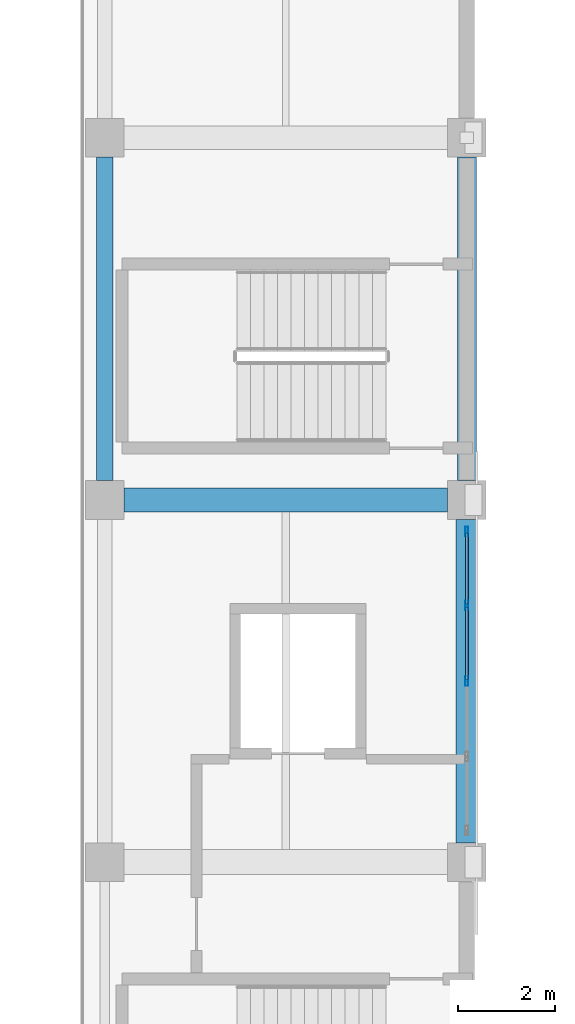
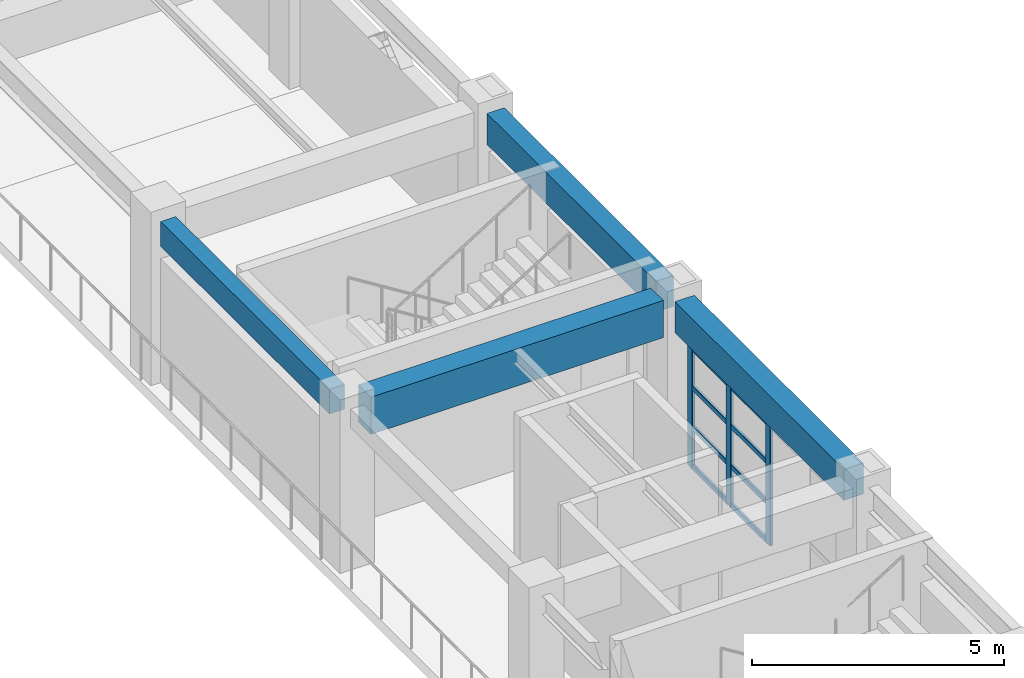
# One storey, part 40 of 124: 11 members, 4 beams, 1 element without a shape of its own.
"""IFC4 building model written with IfcOpenShell, lengths in metres."""

import ifcopenshell
import ifcopenshell.guid

model = None  # the IFC model being written
_history = None  # IfcOwnerHistory: only IFC2X3 demands one
_inside = {}  # id of a spatial element -> (the spatial element, [elements in it])
_under = {}  # id of a project, library or spatial element -> (it, [spatial elements below it])
_declared = {}  # id of a project -> (the project, [libraries it declares])
_typed = {}  # id of a type object -> (the type object, [elements of that type])
_made_of = {}  # id of a material, layer set ... -> (it, [elements and type objects made of it])


def new_model(schema):
    """Start an empty IFC model of exactly this schema.

    Asked for "IFC4X3", IfcOpenShell would pick the latest addendum, in which some entities
    have other attributes; the version numbers below select the first issue.
    IFC2X3 requires an IfcOwnerHistory on every rooted entity: one is made here for all.
    """
    global model, _history
    if schema == "IFC4X3":
        model = ifcopenshell.file(schema_version=(4, 3, 0, 0))
    else:
        model = ifcopenshell.file(schema=schema)
    _inside.clear()
    _under.clear()
    _declared.clear()
    _typed.clear()
    _made_of.clear()
    _history = None
    if model.schema == "IFC2X3":
        org = make("IfcOrganization", Name="unknown")
        user = make(
            "IfcPersonAndOrganization",
            ThePerson=make("IfcPerson", FamilyName="unknown"),
            TheOrganization=org,
        )
        app = make(
            "IfcApplication",
            ApplicationDeveloper=org,
            Version="unknown",
            ApplicationFullName="unknown",
            ApplicationIdentifier="unknown",
        )
        _history = make(
            "IfcOwnerHistory",
            OwningUser=user,
            OwningApplication=app,
            ChangeAction="ADDED",
            CreationDate=0,
        )
    return model


def make(cls, **values):
    """One entity of the class cls with the attributes given. An attribute that is None is left unset."""
    return model.create_entity(
        cls, **{name: value for name, value in values.items() if value is not None}
    )


def rooted(cls, **values):
    """An entity with a GlobalId (a new one), such as an element, a storey or a relation."""
    return make(cls, GlobalId=ifcopenshell.guid.new(), OwnerHistory=_history, **values)


def si_unit(unit_type, name, prefix=None):
    """IfcSIUnit, for example si_unit("LENGTHUNIT", "METRE", prefix="MILLI")."""
    return make("IfcSIUnit", UnitType=unit_type, Prefix=prefix, Name=name)


def assignment(units):
    """IfcUnitAssignment: the units of a project."""
    return None if units is None else make("IfcUnitAssignment", Units=units)


def point(xyz):
    """IfcCartesianPoint."""
    return None if xyz is None else make("IfcCartesianPoint", Coordinates=xyz)


def direction(xyz):
    """IfcDirection."""
    return None if xyz is None else make("IfcDirection", DirectionRatios=xyz)


def frame(location, z_axis=None, x_axis=None):
    """IfcAxis2Placement3D, a coordinate frame: its origin and axes. An axis left out is left unset."""
    return make(
        "IfcAxis2Placement3D",
        Location=point(location),
        Axis=direction(z_axis),
        RefDirection=direction(x_axis),
    )


def frame_2d(location, x_axis=None):
    """IfcAxis2Placement2D, a coordinate frame in the plane: its origin and x axis."""
    return make(
        "IfcAxis2Placement2D", Location=point(location), RefDirection=direction(x_axis)
    )


def origin():
    """The frame at (0, 0, 0) with its axes left unset."""
    return frame((0.0, 0.0, 0.0))


def origin_2d():
    """The frame at (0, 0) in the plane with its x axis left unset."""
    return frame_2d((0.0, 0.0))


def place(relative_to, where):
    """IfcLocalPlacement: puts the frame where relative to a parent placement (None: the world)."""
    return make(
        "IfcLocalPlacement", PlacementRelTo=relative_to, RelativePlacement=where
    )


def context(
    kind, dimensions, precision=None, world=None, true_north=None, identifier=None
):
    """IfcGeometricRepresentationContext, for example the 3D "Model" context."""
    return make(
        "IfcGeometricRepresentationContext",
        ContextIdentifier=identifier,
        ContextType=kind,
        CoordinateSpaceDimension=dimensions,
        Precision=precision,
        WorldCoordinateSystem=world,
        TrueNorth=true_north,
    )


def subcontext(parent, identifier, kind, view, scale=None):
    """IfcGeometricRepresentationSubContext, for example "Body" below "Model"."""
    return make(
        "IfcGeometricRepresentationSubContext",
        ContextIdentifier=identifier,
        ContextType=kind,
        ParentContext=parent,
        TargetScale=scale,
        TargetView=view,
    )


def project(units=None, contexts=None):
    """IfcProject with its units and contexts."""
    return rooted(
        "IfcProject",
        Name="project",
        RepresentationContexts=contexts,
        UnitsInContext=assignment(units),
    )


def spatial(cls, under=None, at=None, **own):
    """A site, building, storey or space (cls), placed at a placement, below another one or the project."""
    s = rooted(cls, ObjectPlacement=at, **own)
    if under is not None:
        _under.setdefault(under.id(), (under, []))[1].append(s)
    return s


def profile(cls, at=None, kind="AREA", **sizes):
    """A parametric profile (cls). Its sizes go by their IFC names, for example OverallWidth=200.0."""
    return make(cls, ProfileType=kind, Position=at, **sizes)


def rectangle(**sizes):
    """IfcRectangleProfileDef."""
    return profile("IfcRectangleProfileDef", **sizes)


def hollow_rectangle(**sizes):
    """IfcRectangleHollowProfileDef."""
    return profile("IfcRectangleHollowProfileDef", **sizes)


def extrude(swept, where, along, depth):
    """IfcExtrudedAreaSolid: the profile swept, set in the frame where, extruded along a direction by depth."""
    return make(
        "IfcExtrudedAreaSolid",
        SweptArea=swept,
        Position=where,
        ExtrudedDirection=direction(along),
        Depth=depth,
    )


def shape(context_of_items, identifier, shape_type, items):
    """IfcShapeRepresentation: the items that make up one representation, for example the "Body"."""
    return make(
        "IfcShapeRepresentation",
        ContextOfItems=context_of_items,
        RepresentationIdentifier=identifier,
        RepresentationType=shape_type,
        Items=items,
    )


def material(Name=None, Category=None):
    """IfcMaterial."""
    return make("IfcMaterial", Name=Name, Category=Category)


def material_profile(
    of_material, cross_section, Name=None, Category=None, Priority=None
):
    """IfcMaterialProfile: a cross section and its material."""
    return make(
        "IfcMaterialProfile",
        Name=Name,
        Material=of_material,
        Profile=cross_section,
        Priority=Priority,
        Category=Category,
    )


def profile_set(profiles, Name=None, composite=None):
    """IfcMaterialProfileSet."""
    return make(
        "IfcMaterialProfileSet",
        Name=Name,
        MaterialProfiles=profiles,
        CompositeProfile=composite,
    )


def made_of(thing, what):
    """Note that an element or type object is made of a material, layer set ...; save() writes the relation."""
    if what is not None:
        _made_of.setdefault(what.id(), (what, []))[1].append(thing)
    return thing


def type_object(cls, material=None, **own):
    """A type object (cls), such as IfcWallType, which elements share."""
    return made_of(rooted(cls, **own), material)


def element(
    cls,
    number,
    at=None,
    inside=None,
    cuts=None,
    type_object=None,
    material=None,
    context=None,
    identifier="Body",
    shape_type=None,
    held_by="IfcProductDefinitionShape",
    body=None,
    shapes=None,
    **own,
):
    """One element of the class cls, such as IfcWall. Its Tag is "e" and its number.

    at: its placement. inside: the storey or other place that contains it. cuts: it is an
    opening in that element (IfcRelVoidsElement). A single representation is given by context,
    identifier, shape_type and body (its items); several are given by shapes. held_by: the class
    of the entity that holds the representations. save() writes the other relations.
    """
    e = rooted(cls, Tag="e%d" % number, ObjectPlacement=at, **own)
    if body is not None:
        shapes = [shape(context, identifier, shape_type, body)]
    if shapes is not None:
        e.Representation = make(held_by, Representations=shapes)
    if inside is not None:
        _inside.setdefault(inside.id(), (inside, []))[1].append(e)
    if cuts is not None:
        rooted(
            "IfcRelVoidsElement", RelatingBuildingElement=cuts, RelatedOpeningElement=e
        )
    if type_object is not None:
        _typed.setdefault(type_object.id(), (type_object, []))[1].append(e)
    return made_of(e, material)


def aggregate(whole, parts):
    """IfcRelAggregates: a whole, such as a stair, and the parts it consists of."""
    return rooted("IfcRelAggregates", RelatingObject=whole, RelatedObjects=parts)


def save(model, path):
    """Write the relations noted so far, then the file.

    IfcRelAggregates (storeys below a building ...), IfcRelContainedInSpatialStructure (elements
    in a storey), IfcRelDefinesByType, IfcRelAssociatesMaterial and IfcRelDeclares: one each for
    every whole, place, type object, material and project.
    """
    for whole, parts in _under.values():
        aggregate(whole, parts)
    for where, things in _inside.values():
        rooted(
            "IfcRelContainedInSpatialStructure",
            RelatedElements=things,
            RelatingStructure=where,
        )
    for kind, things in _typed.values():
        rooted("IfcRelDefinesByType", RelatedObjects=things, RelatingType=kind)
    for what, things in _made_of.values():
        rooted("IfcRelAssociatesMaterial", RelatedObjects=things, RelatingMaterial=what)
    for by, libraries in _declared.values():
        rooted("IfcRelDeclares", RelatingContext=by, RelatedDefinitions=libraries)
    model.write(path)


model = new_model("IFC4")

# Units and contexts
model_context = context("Model", 3, precision=1e-05, world=origin(), true_north=direction((0.0, 1.0)))
body_context = subcontext(model_context, "Body", "Model", "MODEL_VIEW")
ifc_project = project(units=[si_unit("LENGTHUNIT", "METRE"), si_unit("AREAUNIT", "SQUARE_METRE"), si_unit("VOLUMEUNIT", "CUBIC_METRE"), si_unit("PLANEANGLEUNIT", "RADIAN"), si_unit("MASSUNIT", "GRAM", prefix="KILO")], contexts=[model_context])

# Site, building, storey
site_placement = place(None, origin())
site = spatial("IfcSite", under=ifc_project, at=site_placement, CompositionType="ELEMENT")
building_placement = place(site_placement, origin())
building = spatial("IfcBuilding", under=site, at=building_placement, Name="Qasida Concert Hall", CompositionType="ELEMENT")
storey_placement = place(building_placement, frame((0.0, 0.0, 9.0)))
storey = spatial("IfcBuildingStorey", under=building, at=storey_placement, Name="L02", CompositionType="ELEMENT", Elevation=9.0)

# Beams
ifc_material_1 = material(Name="Concrete C40/50", Category="concrete")
ifc_material_profile_1 = material_profile(ifc_material_1, rectangle(XDim=0.35009765625, YDim=0.60009765625, at=origin_2d()), Name="RC 350x600")
ifc_profile_set_1 = profile_set([ifc_material_profile_1], Name="Concrete C40/50")
beam_type_1 = type_object("IfcBeamType", Name="BM-B2", PredefinedType="BEAM", material=ifc_profile_set_1)
beam_1_placement = place(storey_placement, frame((97.5, 60.39990234375, 3.60009765625), z_axis=(0.0, 1.0, 0.0), x_axis=(-1.0, 0.0, 0.0)))
element("IfcBeam", 1, at=beam_1_placement, inside=storey, type_object=beam_type_1, Name="L02 girder 1192", PredefinedType="BEAM", context=body_context, shape_type="SweptSolid", body=[
    extrude(rectangle(XDim=0.35009765625, YDim=0.60009765625, at=origin_2d()), origin(), (0.0, 0.0, 1.0), 6.7001953125),
])
ifc_material_profile_2 = material_profile(ifc_material_1, rectangle(XDim=0.5, YDim=0.89990234375, at=origin_2d()), Name="RC 500x900")
ifc_profile_set_2 = profile_set([ifc_material_profile_2], Name="Concrete C40/50")
beam_type_2 = type_object("IfcBeamType", Name="BM-G1", PredefinedType="USERDEFINED", material=ifc_profile_set_2)
beam_2_placement = place(storey_placement, frame((97.89990234375, 60.0, 3.449951171875), z_axis=(1.0, 0.0, 0.0), x_axis=(0.0, 1.0, 0.0)))
element("IfcBeam", 2, at=beam_2_placement, inside=storey, type_object=beam_type_2, Name="Primary girder 1154", ObjectType="GIRDER", PredefinedType="USERDEFINED", context=body_context, shape_type="SweptSolid", body=[
    extrude(rectangle(XDim=0.5, YDim=0.89990234375, at=origin_2d()), origin(), (0.0, 0.0, 1.0), 6.7001953125),
])
ifc_material_profile_3 = material_profile(ifc_material_1, rectangle(XDim=0.39990234375, YDim=0.75, at=origin_2d()), Name="RC 400x750")
ifc_profile_set_3 = profile_set([ifc_material_profile_3], Name="Concrete C40/50")
beam_type_3 = type_object("IfcBeamType", Name="BM-SP1", PredefinedType="SPANDREL", material=ifc_profile_set_3)
beam_3_placement = place(storey_placement, frame((105.0, 60.39990234375, 3.52490234375), z_axis=(0.0, 1.0, 0.0), x_axis=(-1.0, 0.0, 0.0)))
element("IfcBeam", 3, at=beam_3_placement, inside=storey, type_object=beam_type_3, Name="L02 girder 1198", PredefinedType="SPANDREL", context=body_context, shape_type="SweptSolid", body=[
    extrude(rectangle(XDim=0.39990234375, YDim=0.75, at=origin_2d()), origin(), (0.0, 0.0, 1.0), 6.7001953125),
])
ifc_material_profile_4 = material_profile(ifc_material_1, rectangle(XDim=0.449951171875, YDim=0.75, at=origin_2d()), Name="RC 450x750")
ifc_profile_set_4 = profile_set([ifc_material_profile_4], Name="Concrete C40/50")
beam_type_4 = type_object("IfcBeamType", Name="BM-SP4", PredefinedType="SPANDREL", material=ifc_profile_set_4)
beam_4_placement = place(storey_placement, frame((105.0, 52.89990234375, 3.52490234375), z_axis=(0.0, 1.0, 0.0), x_axis=(-1.0, 0.0, 0.0)))
element("IfcBeam", 4, at=beam_4_placement, inside=storey, type_object=beam_type_4, Name="L02 girder 1197", PredefinedType="SPANDREL", context=body_context, shape_type="SweptSolid", body=[
    extrude(rectangle(XDim=0.449951171875, YDim=0.75, at=origin_2d()), origin(), (0.0, 0.0, 1.0), 6.7001953125),
])

# Curtain wall, members
ifc_material_2 = material(Name="Architectural bronze-anodized aluminium and low-E glass", Category="aluminium")
curtain_wall_type = type_object("IfcCurtainWallType", Name="CW-03", PredefinedType="NOTDEFINED", material=ifc_material_2)
curtain_wall_placement = place(storey_placement, origin())
curtain_wall = element("IfcCurtainWall", 5, at=curtain_wall_placement, inside=storey, type_object=curtain_wall_type, Name="L02 curtain wall CW-03 0050", PredefinedType="NOTDEFINED")
ifc_material_3 = material(Name="Architectural bronze-anodized aluminium EN AW-6063", Category="aluminium")
ifc_material_profile_5 = material_profile(ifc_material_3, hollow_rectangle(XDim=0.06494140625, YDim=0.199951171875, WallThickness=0.0048828125, InnerFilletRadius=0.0048828125, OuterFilletRadius=0.010009765625, at=origin_2d()), Name="CWM 200x65x5")
ifc_profile_set_5 = profile_set([ifc_material_profile_5], Name="Architectural bronze-anodized aluminium EN AW-6063")
member_type_1 = type_object("IfcMemberType", Name="MB-CWM-2", PredefinedType="MULLION", material=ifc_profile_set_5)
member_1_placement = place(storey_placement, frame((105.0, 56.25, 0.0), z_axis=(0.0, 0.0, 1.0), x_axis=(-1.0, 0.0, 0.0)))
member_1 = element("IfcMember", 6, at=member_1_placement, type_object=member_type_1, Name="CW-03 mullion 3", PredefinedType="MULLION", context=body_context, shape_type="SweptSolid", body=[
    extrude(hollow_rectangle(XDim=0.06494140625, YDim=0.199951171875, WallThickness=0.0048828125, InnerFilletRadius=0.0048828125, OuterFilletRadius=0.010009765625, at=origin_2d()), origin(), (0.0, 0.0, 1.0), 2.919921875),
])
member_2_placement = place(storey_placement, frame((105.0, 57.81494140625, 0.0), z_axis=(0.0, 0.0, 1.0), x_axis=(-1.0, 0.0, 0.0)))
member_2 = element("IfcMember", 7, at=member_2_placement, type_object=member_type_1, Name="CW-03 mullion 4", PredefinedType="MULLION", context=body_context, shape_type="SweptSolid", body=[
    extrude(hollow_rectangle(XDim=0.06494140625, YDim=0.199951171875, WallThickness=0.0048828125, InnerFilletRadius=0.0048828125, OuterFilletRadius=0.010009765625, at=origin_2d()), origin(), (0.0, 0.0, 1.0), 2.919921875),
])
member_3_placement = place(storey_placement, frame((105.0, 59.347412109375, 0.0), z_axis=(0.0, 0.0, 1.0), x_axis=(-1.0, 0.0, 0.0)))
member_3 = element("IfcMember", 8, at=member_3_placement, type_object=member_type_1, Name="CW-03 mullion 5", PredefinedType="MULLION", context=body_context, shape_type="SweptSolid", body=[
    extrude(hollow_rectangle(XDim=0.06494140625, YDim=0.199951171875, WallThickness=0.0048828125, InnerFilletRadius=0.0048828125, OuterFilletRadius=0.010009765625, at=origin_2d()), origin(), (0.0, 0.0, 1.0), 2.919921875),
])
ifc_material_profile_6 = material_profile(ifc_material_3, hollow_rectangle(XDim=0.06005859375, YDim=0.1201171875, WallThickness=0.00390625, InnerFilletRadius=0.00390625, OuterFilletRadius=0.008056640625, at=origin_2d()), Name="CWT 120x60x4")
ifc_profile_set_6 = profile_set([ifc_material_profile_6], Name="Architectural bronze-anodized aluminium EN AW-6063")
member_type_2 = type_object("IfcMemberType", Name="MB-CWT-2", PredefinedType="USERDEFINED", material=ifc_profile_set_6)
member_4_placement = place(storey_placement, frame((105.0, 56.282470703125, 0.030029296875), z_axis=(0.0, 1.0, 0.0), x_axis=(-1.0, 0.0, 0.0)))
member_4 = element("IfcMember", 9, at=member_4_placement, type_object=member_type_2, Name="CW-03 transom 3.1", ObjectType="TRANSOM", PredefinedType="USERDEFINED", context=body_context, shape_type="SweptSolid", body=[
    extrude(hollow_rectangle(XDim=0.06005859375, YDim=0.1201171875, WallThickness=0.00390625, InnerFilletRadius=0.00390625, OuterFilletRadius=0.008056640625, at=origin_2d()), origin(), (0.0, 0.0, 1.0), 1.5),
])
member_5_placement = place(storey_placement, frame((105.0, 56.282470703125, 0.973388671875), z_axis=(0.0, 1.0, 0.0), x_axis=(-1.0, 0.0, 0.0)))
member_5 = element("IfcMember", 10, at=member_5_placement, type_object=member_type_2, Name="CW-03 transom 3.2", ObjectType="TRANSOM", PredefinedType="USERDEFINED", context=body_context, shape_type="SweptSolid", body=[
    extrude(hollow_rectangle(XDim=0.06005859375, YDim=0.1201171875, WallThickness=0.00390625, InnerFilletRadius=0.00390625, OuterFilletRadius=0.008056640625, at=origin_2d()), origin(), (0.0, 0.0, 1.0), 1.5),
])
member_6_placement = place(storey_placement, frame((105.0, 56.282470703125, 1.94677734375), z_axis=(0.0, 1.0, 0.0), x_axis=(-1.0, 0.0, 0.0)))
member_6 = element("IfcMember", 11, at=member_6_placement, type_object=member_type_2, Name="CW-03 transom 3.3", ObjectType="TRANSOM", PredefinedType="USERDEFINED", context=body_context, shape_type="SweptSolid", body=[
    extrude(hollow_rectangle(XDim=0.06005859375, YDim=0.1201171875, WallThickness=0.00390625, InnerFilletRadius=0.00390625, OuterFilletRadius=0.008056640625, at=origin_2d()), origin(), (0.0, 0.0, 1.0), 1.5),
])
member_7_placement = place(storey_placement, frame((105.0, 56.282470703125, 2.889892578125), z_axis=(0.0, 1.0, 0.0), x_axis=(-1.0, 0.0, 0.0)))
member_7 = element("IfcMember", 12, at=member_7_placement, type_object=member_type_2, Name="CW-03 transom 3.4", ObjectType="TRANSOM", PredefinedType="USERDEFINED", context=body_context, shape_type="SweptSolid", body=[
    extrude(hollow_rectangle(XDim=0.06005859375, YDim=0.1201171875, WallThickness=0.00390625, InnerFilletRadius=0.00390625, OuterFilletRadius=0.008056640625, at=origin_2d()), origin(), (0.0, 0.0, 1.0), 1.5),
])
member_8_placement = place(storey_placement, frame((105.0, 57.847412109375, 0.030029296875), z_axis=(0.0, 1.0, 0.0), x_axis=(-1.0, 0.0, 0.0)))
member_8 = element("IfcMember", 13, at=member_8_placement, type_object=member_type_2, Name="CW-03 transom 4.1", ObjectType="TRANSOM", PredefinedType="USERDEFINED", context=body_context, shape_type="SweptSolid", body=[
    extrude(hollow_rectangle(XDim=0.06005859375, YDim=0.1201171875, WallThickness=0.00390625, InnerFilletRadius=0.00390625, OuterFilletRadius=0.008056640625, at=origin_2d()), origin(), (0.0, 0.0, 1.0), 1.467529296875),
])
member_9_placement = place(storey_placement, frame((105.0, 57.847412109375, 0.973388671875), z_axis=(0.0, 1.0, 0.0), x_axis=(-1.0, 0.0, 0.0)))
member_9 = element("IfcMember", 14, at=member_9_placement, type_object=member_type_2, Name="CW-03 transom 4.2", ObjectType="TRANSOM", PredefinedType="USERDEFINED", context=body_context, shape_type="SweptSolid", body=[
    extrude(hollow_rectangle(XDim=0.06005859375, YDim=0.1201171875, WallThickness=0.00390625, InnerFilletRadius=0.00390625, OuterFilletRadius=0.008056640625, at=origin_2d()), origin(), (0.0, 0.0, 1.0), 1.467529296875),
])
member_10_placement = place(storey_placement, frame((105.0, 57.847412109375, 1.94677734375), z_axis=(0.0, 1.0, 0.0), x_axis=(-1.0, 0.0, 0.0)))
member_10 = element("IfcMember", 15, at=member_10_placement, type_object=member_type_2, Name="CW-03 transom 4.3", ObjectType="TRANSOM", PredefinedType="USERDEFINED", context=body_context, shape_type="SweptSolid", body=[
    extrude(hollow_rectangle(XDim=0.06005859375, YDim=0.1201171875, WallThickness=0.00390625, InnerFilletRadius=0.00390625, OuterFilletRadius=0.008056640625, at=origin_2d()), origin(), (0.0, 0.0, 1.0), 1.467529296875),
])
member_11_placement = place(storey_placement, frame((105.0, 57.847412109375, 2.889892578125), z_axis=(0.0, 1.0, 0.0), x_axis=(-1.0, 0.0, 0.0)))
member_11 = element("IfcMember", 16, at=member_11_placement, type_object=member_type_2, Name="CW-03 transom 4.4", ObjectType="TRANSOM", PredefinedType="USERDEFINED", context=body_context, shape_type="SweptSolid", body=[
    extrude(hollow_rectangle(XDim=0.06005859375, YDim=0.1201171875, WallThickness=0.00390625, InnerFilletRadius=0.00390625, OuterFilletRadius=0.008056640625, at=origin_2d()), origin(), (0.0, 0.0, 1.0), 1.467529296875),
])
aggregate(curtain_wall, [member_1, member_2, member_3, member_4, member_5, member_6, member_7, member_8, member_9, member_10, member_11])

save(model, "model.ifc")
